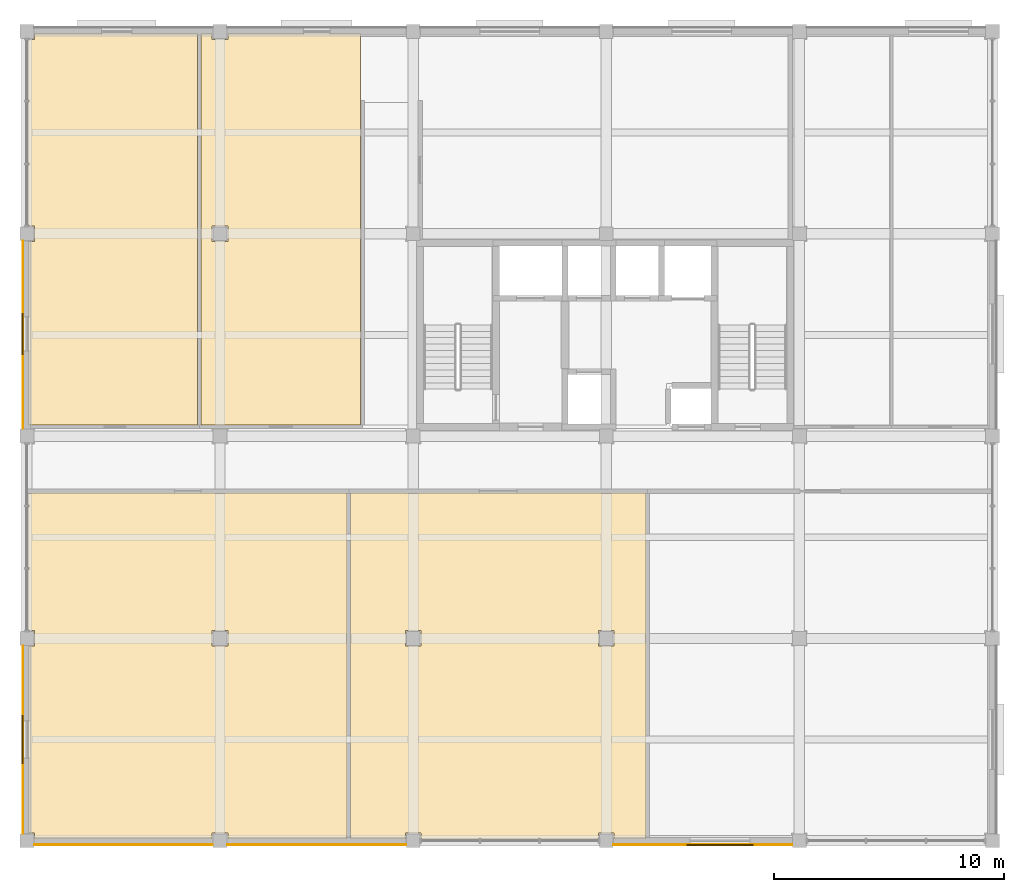
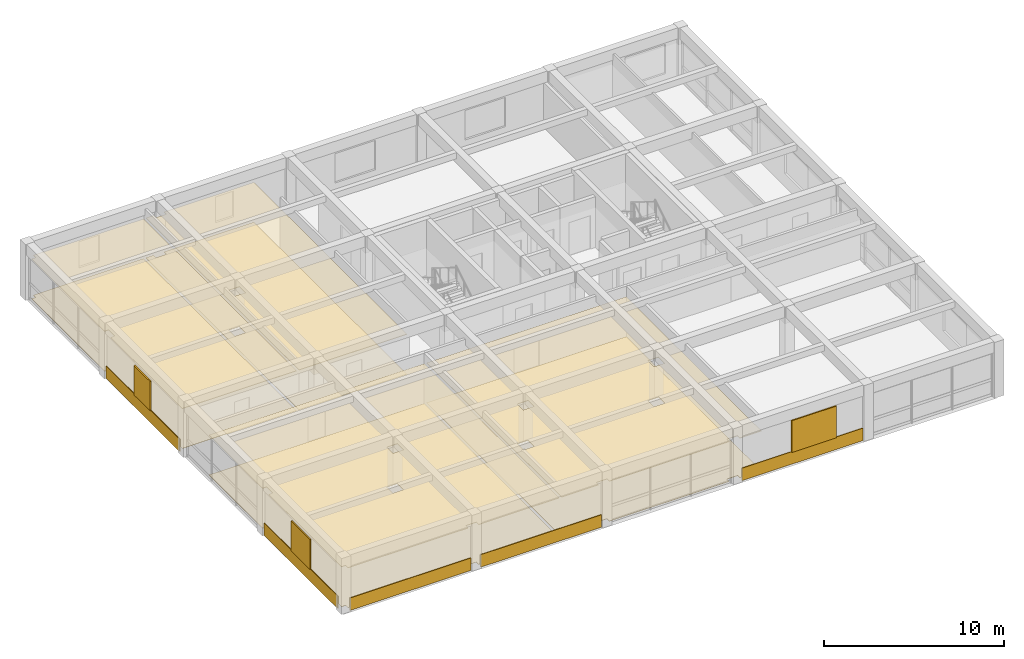
# One storey, part 10 of 14: 13 coverings, 3 shading devices.
"""IFC4 building model written with IfcOpenShell, lengths in metres."""

import ifcopenshell
import ifcopenshell.guid

model = None  # the IFC model being written
_history = None  # IfcOwnerHistory: only IFC2X3 demands one
_inside = {}  # id of a spatial element -> (the spatial element, [elements in it])
_under = {}  # id of a project, library or spatial element -> (it, [spatial elements below it])
_declared = {}  # id of a project -> (the project, [libraries it declares])
_typed = {}  # id of a type object -> (the type object, [elements of that type])
_made_of = {}  # id of a material, layer set ... -> (it, [elements and type objects made of it])


def new_model(schema):
    """Start an empty IFC model of exactly this schema.

    Asked for "IFC4X3", IfcOpenShell would pick the latest addendum, in which some entities
    have other attributes; the version numbers below select the first issue.
    IFC2X3 requires an IfcOwnerHistory on every rooted entity: one is made here for all.
    """
    global model, _history
    if schema == "IFC4X3":
        model = ifcopenshell.file(schema_version=(4, 3, 0, 0))
    else:
        model = ifcopenshell.file(schema=schema)
    _inside.clear()
    _under.clear()
    _declared.clear()
    _typed.clear()
    _made_of.clear()
    _history = None
    if model.schema == "IFC2X3":
        org = make("IfcOrganization", Name="unknown")
        user = make(
            "IfcPersonAndOrganization",
            ThePerson=make("IfcPerson", FamilyName="unknown"),
            TheOrganization=org,
        )
        app = make(
            "IfcApplication",
            ApplicationDeveloper=org,
            Version="unknown",
            ApplicationFullName="unknown",
            ApplicationIdentifier="unknown",
        )
        _history = make(
            "IfcOwnerHistory",
            OwningUser=user,
            OwningApplication=app,
            ChangeAction="ADDED",
            CreationDate=0,
        )
    return model


def make(cls, **values):
    """One entity of the class cls with the attributes given. An attribute that is None is left unset."""
    return model.create_entity(
        cls, **{name: value for name, value in values.items() if value is not None}
    )


def rooted(cls, **values):
    """An entity with a GlobalId (a new one), such as an element, a storey or a relation."""
    return make(cls, GlobalId=ifcopenshell.guid.new(), OwnerHistory=_history, **values)


def si_unit(unit_type, name, prefix=None):
    """IfcSIUnit, for example si_unit("LENGTHUNIT", "METRE", prefix="MILLI")."""
    return make("IfcSIUnit", UnitType=unit_type, Prefix=prefix, Name=name)


def assignment(units):
    """IfcUnitAssignment: the units of a project."""
    return None if units is None else make("IfcUnitAssignment", Units=units)


def point(xyz):
    """IfcCartesianPoint."""
    return None if xyz is None else make("IfcCartesianPoint", Coordinates=xyz)


def direction(xyz):
    """IfcDirection."""
    return None if xyz is None else make("IfcDirection", DirectionRatios=xyz)


def frame(location, z_axis=None, x_axis=None):
    """IfcAxis2Placement3D, a coordinate frame: its origin and axes. An axis left out is left unset."""
    return make(
        "IfcAxis2Placement3D",
        Location=point(location),
        Axis=direction(z_axis),
        RefDirection=direction(x_axis),
    )


def frame_2d(location, x_axis=None):
    """IfcAxis2Placement2D, a coordinate frame in the plane: its origin and x axis."""
    return make(
        "IfcAxis2Placement2D", Location=point(location), RefDirection=direction(x_axis)
    )


def origin():
    """The frame at (0, 0, 0) with its axes left unset."""
    return frame((0.0, 0.0, 0.0))


def origin_2d():
    """The frame at (0, 0) in the plane with its x axis left unset."""
    return frame_2d((0.0, 0.0))


def place(relative_to, where):
    """IfcLocalPlacement: puts the frame where relative to a parent placement (None: the world)."""
    return make(
        "IfcLocalPlacement", PlacementRelTo=relative_to, RelativePlacement=where
    )


def context(
    kind, dimensions, precision=None, world=None, true_north=None, identifier=None
):
    """IfcGeometricRepresentationContext, for example the 3D "Model" context."""
    return make(
        "IfcGeometricRepresentationContext",
        ContextIdentifier=identifier,
        ContextType=kind,
        CoordinateSpaceDimension=dimensions,
        Precision=precision,
        WorldCoordinateSystem=world,
        TrueNorth=true_north,
    )


def subcontext(parent, identifier, kind, view, scale=None):
    """IfcGeometricRepresentationSubContext, for example "Body" below "Model"."""
    return make(
        "IfcGeometricRepresentationSubContext",
        ContextIdentifier=identifier,
        ContextType=kind,
        ParentContext=parent,
        TargetScale=scale,
        TargetView=view,
    )


def project(units=None, contexts=None):
    """IfcProject with its units and contexts."""
    return rooted(
        "IfcProject",
        Name="project",
        RepresentationContexts=contexts,
        UnitsInContext=assignment(units),
    )


def spatial(cls, under=None, at=None, **own):
    """A site, building, storey or space (cls), placed at a placement, below another one or the project."""
    s = rooted(cls, ObjectPlacement=at, **own)
    if under is not None:
        _under.setdefault(under.id(), (under, []))[1].append(s)
    return s


def polyline(points):
    """IfcPolyline through the points."""
    return make("IfcPolyline", Points=[point(p) for p in points])


def profile(cls, at=None, kind="AREA", **sizes):
    """A parametric profile (cls). Its sizes go by their IFC names, for example OverallWidth=200.0."""
    return make(cls, ProfileType=kind, Position=at, **sizes)


def rectangle(**sizes):
    """IfcRectangleProfileDef."""
    return profile("IfcRectangleProfileDef", **sizes)


def outline(outer, holes=None, kind="AREA"):
    """IfcArbitraryClosedProfileDef: a profile drawn as a closed curve; with holes, ...WithVoids."""
    if holes is None:
        return make("IfcArbitraryClosedProfileDef", ProfileType=kind, OuterCurve=outer)
    return make(
        "IfcArbitraryProfileDefWithVoids",
        ProfileType=kind,
        OuterCurve=outer,
        InnerCurves=holes,
    )


def extrude(swept, where, along, depth):
    """IfcExtrudedAreaSolid: the profile swept, set in the frame where, extruded along a direction by depth."""
    return make(
        "IfcExtrudedAreaSolid",
        SweptArea=swept,
        Position=where,
        ExtrudedDirection=direction(along),
        Depth=depth,
    )


def shape(context_of_items, identifier, shape_type, items):
    """IfcShapeRepresentation: the items that make up one representation, for example the "Body"."""
    return make(
        "IfcShapeRepresentation",
        ContextOfItems=context_of_items,
        RepresentationIdentifier=identifier,
        RepresentationType=shape_type,
        Items=items,
    )


def material(Name=None, Category=None):
    """IfcMaterial."""
    return make("IfcMaterial", Name=Name, Category=Category)


def layer(
    of_material, thickness, ventilated=None, Name=None, Category=None, Priority=None
):
    """IfcMaterialLayer: one layer of a wall or slab, of a material (None: an air gap)."""
    return make(
        "IfcMaterialLayer",
        Material=of_material,
        LayerThickness=thickness,
        IsVentilated=ventilated,
        Name=Name,
        Category=Category,
        Priority=Priority,
    )


def layer_set(layers, Name=None):
    """IfcMaterialLayerSet."""
    return make("IfcMaterialLayerSet", MaterialLayers=layers, LayerSetName=Name)


def made_of(thing, what):
    """Note that an element or type object is made of a material, layer set ...; save() writes the relation."""
    if what is not None:
        _made_of.setdefault(what.id(), (what, []))[1].append(thing)
    return thing


def type_object(cls, material=None, **own):
    """A type object (cls), such as IfcWallType, which elements share."""
    return made_of(rooted(cls, **own), material)


def element(
    cls,
    number,
    at=None,
    inside=None,
    cuts=None,
    type_object=None,
    material=None,
    context=None,
    identifier="Body",
    shape_type=None,
    held_by="IfcProductDefinitionShape",
    body=None,
    shapes=None,
    **own,
):
    """One element of the class cls, such as IfcWall. Its Tag is "e" and its number.

    at: its placement. inside: the storey or other place that contains it. cuts: it is an
    opening in that element (IfcRelVoidsElement). A single representation is given by context,
    identifier, shape_type and body (its items); several are given by shapes. held_by: the class
    of the entity that holds the representations. save() writes the other relations.
    """
    e = rooted(cls, Tag="e%d" % number, ObjectPlacement=at, **own)
    if body is not None:
        shapes = [shape(context, identifier, shape_type, body)]
    if shapes is not None:
        e.Representation = make(held_by, Representations=shapes)
    if inside is not None:
        _inside.setdefault(inside.id(), (inside, []))[1].append(e)
    if cuts is not None:
        rooted(
            "IfcRelVoidsElement", RelatingBuildingElement=cuts, RelatedOpeningElement=e
        )
    if type_object is not None:
        _typed.setdefault(type_object.id(), (type_object, []))[1].append(e)
    return made_of(e, material)


def aggregate(whole, parts):
    """IfcRelAggregates: a whole, such as a stair, and the parts it consists of."""
    return rooted("IfcRelAggregates", RelatingObject=whole, RelatedObjects=parts)


def save(model, path):
    """Write the relations noted so far, then the file.

    IfcRelAggregates (storeys below a building ...), IfcRelContainedInSpatialStructure (elements
    in a storey), IfcRelDefinesByType, IfcRelAssociatesMaterial and IfcRelDeclares: one each for
    every whole, place, type object, material and project.
    """
    for whole, parts in _under.values():
        aggregate(whole, parts)
    for where, things in _inside.values():
        rooted(
            "IfcRelContainedInSpatialStructure",
            RelatedElements=things,
            RelatingStructure=where,
        )
    for kind, things in _typed.values():
        rooted("IfcRelDefinesByType", RelatedObjects=things, RelatingType=kind)
    for what, things in _made_of.values():
        rooted("IfcRelAssociatesMaterial", RelatedObjects=things, RelatingMaterial=what)
    for by, libraries in _declared.values():
        rooted("IfcRelDeclares", RelatingContext=by, RelatedDefinitions=libraries)
    model.write(path)


model = new_model("IFC4")

# Units and contexts
model_context = context("Model", 3, precision=1e-05, world=origin(), true_north=direction((0.0, 1.0)))
body_context = subcontext(model_context, "Body", "Model", "MODEL_VIEW")
ifc_project = project(units=[si_unit("LENGTHUNIT", "METRE"), si_unit("AREAUNIT", "SQUARE_METRE"), si_unit("VOLUMEUNIT", "CUBIC_METRE"), si_unit("PLANEANGLEUNIT", "RADIAN"), si_unit("MASSUNIT", "GRAM", prefix="KILO")], contexts=[model_context])

# Site, building, storey
site_placement = place(None, origin())
site = spatial("IfcSite", under=ifc_project, at=site_placement, CompositionType="ELEMENT")
building_placement = place(site_placement, origin())
building = spatial("IfcBuilding", under=site, at=building_placement, Name="Kemercrest Conservatory and Botanical Centre", CompositionType="ELEMENT")
storey_placement = place(building_placement, frame((0.0, 0.0, 44.39990234375)))
storey = spatial("IfcBuildingStorey", under=building, at=storey_placement, Name="L11", CompositionType="ELEMENT", Elevation=44.39990234375)

# Coverings
ifc_material_1 = material(Name="Honed limestone almasik ashlar rainscreen", Category="masonry")
ifc_layer_1 = layer(ifc_material_1, 0.0400390625)
ifc_layer_set_1 = layer_set([ifc_layer_1], Name="Honed limestone almasik ashlar rainscreen")
covering_type_1 = type_object("IfcCoveringType", Name="CV-CLD040", PredefinedType="CLADDING", material=ifc_layer_set_1)
covering_1_placement = place(storey_placement, origin())
element("IfcCovering", 1, at=covering_1_placement, inside=storey, type_object=covering_type_1, Name="Exterior stone spandrel cladding (WAL:L11:EXT-300)", PredefinedType="CLADDING", context=body_context, shape_type="SweptSolid", body=[
    extrude(outline(polyline([(134.31005859375, 87.050048828125), (134.31005859375, 87.010009765625), (142.090087890625, 87.010009765625), (142.090087890625, 87.050048828125), (134.31005859375, 87.050048828125)])), origin(), (0.0, 0.0, 1.0), 0.85009765625),
])
covering_2_placement = place(storey_placement, origin())
element("IfcCovering", 2, at=covering_2_placement, inside=storey, type_object=covering_type_1, Name="Exterior stone spandrel cladding (WAL:L11:EXT-301)", PredefinedType="CLADDING", context=body_context, shape_type="SweptSolid", body=[
    extrude(outline(polyline([(142.7099609375, 87.050048828125), (142.7099609375, 87.010009765625), (150.489990234375, 87.010009765625), (150.489990234375, 87.050048828125), (142.7099609375, 87.050048828125)])), origin(), (0.0, 0.0, 1.0), 0.85009765625),
])
covering_3_placement = place(storey_placement, origin())
element("IfcCovering", 3, at=covering_3_placement, inside=storey, type_object=covering_type_1, Name="Exterior stone spandrel cladding (WAL:L11:EXT-302)", PredefinedType="CLADDING", context=body_context, shape_type="SweptSolid", body=[
    extrude(outline(polyline([(159.510009765625, 87.050048828125), (159.510009765625, 87.010009765625), (167.2900390625, 87.010009765625), (167.2900390625, 87.050048828125), (159.510009765625, 87.050048828125)])), origin(), (0.0, 0.0, 1.0), 0.85009765625),
])
covering_4_placement = place(storey_placement, origin())
element("IfcCovering", 4, at=covering_4_placement, inside=storey, type_object=covering_type_1, Name="Exterior stone spandrel cladding (WAL:L11:EXT-310)", PredefinedType="CLADDING", context=body_context, shape_type="SweptSolid", body=[
    extrude(outline(polyline([(133.85009765625, 113.2900390625), (133.81005859375, 113.2900390625), (133.81005859375, 105.110107421875), (133.85009765625, 105.110107421875), (133.85009765625, 113.2900390625)])), origin(), (0.0, 0.0, 1.0), 0.85009765625),
])
covering_5_placement = place(storey_placement, origin())
element("IfcCovering", 5, at=covering_5_placement, inside=storey, type_object=covering_type_1, Name="Exterior stone spandrel cladding (WAL:L11:EXT-311)", PredefinedType="CLADDING", context=body_context, shape_type="SweptSolid", body=[
    extrude(outline(polyline([(133.85009765625, 95.68994140625), (133.81005859375, 95.68994140625), (133.81005859375, 87.510009765625), (133.85009765625, 87.510009765625), (133.85009765625, 95.68994140625)])), origin(), (0.0, 0.0, 1.0), 0.85009765625),
])
ifc_material_2 = material(Name="Perforated acoustic gypsum and mineral-fibre suspended ceiling", Category="gypsum")
ifc_layer_2 = layer(ifc_material_2, 0.034912109375)
ifc_layer_set_2 = layer_set([ifc_layer_2], Name="Perforated acoustic gypsum and mineral-fibre suspended ceiling")
covering_type_2 = type_object("IfcCoveringType", Name="CV-CLG035", PredefinedType="CEILING", material=ifc_layer_set_2)
covering_6_placement = place(storey_placement, frame((0.0, 0.0, 2.7001953125)))
element("IfcCovering", 6, at=covering_6_placement, inside=storey, type_object=covering_type_2, Name="Germplasm Vault suspended acoustic ceiling", PredefinedType="CEILING", context=body_context, shape_type="SweptSolid", body=[
    extrude(outline(polyline([(142.06005859375, 87.5400390625), (142.739990234375, 87.5400390625), (142.739990234375, 87.280029296875), (147.919921875, 87.280029296875), (147.919921875, 102.320068359375), (134.080078125, 102.320068359375), (134.080078125, 96.340087890625), (134.340087890625, 96.340087890625), (134.340087890625, 95.659912109375), (134.080078125, 95.659912109375), (134.080078125, 87.5400390625), (134.340087890625, 87.5400390625), (134.340087890625, 87.280029296875), (142.06005859375, 87.280029296875), (142.06005859375, 87.5400390625)]), holes=[polyline([(142.06005859375, 96.340087890625), (142.739990234375, 96.340087890625), (142.739990234375, 95.659912109375), (142.06005859375, 95.659912109375), (142.06005859375, 96.340087890625)])]), origin(), (0.0, 0.0, 1.0), 0.034912109375),
])
covering_7_placement = place(storey_placement, frame((0.0, 0.0, 2.7001953125)))
element("IfcCovering", 7, at=covering_7_placement, inside=storey, type_object=covering_type_2, Name="Cryopreservation Laboratory suspended acoustic ceiling", PredefinedType="CEILING", context=body_context, shape_type="SweptSolid", body=[
    extrude(outline(polyline([(158.860107421875, 87.5400390625), (159.5400390625, 87.5400390625), (159.5400390625, 87.280029296875), (160.919921875, 87.280029296875), (160.919921875, 102.320068359375), (148.080078125, 102.320068359375), (148.080078125, 87.280029296875), (150.4599609375, 87.280029296875), (150.4599609375, 87.5400390625), (151.139892578125, 87.5400390625), (151.139892578125, 87.280029296875), (158.860107421875, 87.280029296875), (158.860107421875, 87.5400390625)]), holes=[polyline([(158.860107421875, 96.340087890625), (159.5400390625, 96.340087890625), (159.5400390625, 95.659912109375), (158.860107421875, 95.659912109375), (158.860107421875, 96.340087890625)]), polyline([(150.4599609375, 96.340087890625), (151.139892578125, 96.340087890625), (151.139892578125, 95.659912109375), (150.4599609375, 95.659912109375), (150.4599609375, 96.340087890625)])]), origin(), (0.0, 0.0, 1.0), 0.034912109375),
])
covering_8_placement = place(storey_placement, frame((0.0, 0.0, 2.7001953125)))
element("IfcCovering", 8, at=covering_8_placement, inside=storey, type_object=covering_type_2, Name="Desiccation Preparation Studio suspended acoustic ceiling", PredefinedType="CEILING", context=body_context, shape_type="SweptSolid", body=[
    extrude(outline(polyline([(134.080078125, 105.280029296875), (141.419921875, 105.280029296875), (141.419921875, 122.320068359375), (134.340087890625, 122.320068359375), (134.340087890625, 122.06005859375), (134.080078125, 122.06005859375), (134.080078125, 113.93994140625), (134.340087890625, 113.93994140625), (134.340087890625, 113.260009765625), (134.080078125, 113.260009765625), (134.080078125, 105.280029296875)])), origin(), (0.0, 0.0, 1.0), 0.034912109375),
])
covering_9_placement = place(storey_placement, frame((0.0, 0.0, 2.7001953125)))
element("IfcCovering", 9, at=covering_9_placement, inside=storey, type_object=covering_type_2, Name="Environmental Control Office suspended acoustic ceiling", PredefinedType="CEILING", context=body_context, shape_type="SweptSolid", body=[
    extrude(outline(polyline([(142.06005859375, 122.320068359375), (141.580078125, 122.320068359375), (141.580078125, 105.280029296875), (148.52001953125, 105.280029296875), (148.52001953125, 122.320068359375), (142.739990234375, 122.320068359375), (142.739990234375, 122.06005859375), (142.06005859375, 122.06005859375), (142.06005859375, 122.320068359375)]), holes=[polyline([(142.06005859375, 113.93994140625), (142.739990234375, 113.93994140625), (142.739990234375, 113.260009765625), (142.06005859375, 113.260009765625), (142.06005859375, 113.93994140625)])]), origin(), (0.0, 0.0, 1.0), 0.034912109375),
])
ifc_material_3 = material(Name="Polished limestone terrazzo and seamless laboratory epoxy flooring", Category="masonry")
ifc_layer_3 = layer(ifc_material_3, 0.02001953125)
ifc_layer_set_3 = layer_set([ifc_layer_3], Name="Polished limestone terrazzo and seamless laboratory epoxy flooring")
covering_type_3 = type_object("IfcCoveringType", Name="CV-FLR020", PredefinedType="FLOORING", material=ifc_layer_set_3)
covering_10_placement = place(storey_placement, origin())
element("IfcCovering", 10, at=covering_10_placement, inside=storey, type_object=covering_type_3, Name="Germplasm Vault floor finish", PredefinedType="FLOORING", context=body_context, shape_type="SweptSolid", body=[
    extrude(outline(polyline([(142.06005859375, 87.5400390625), (142.739990234375, 87.5400390625), (142.739990234375, 87.280029296875), (147.919921875, 87.280029296875), (147.919921875, 102.320068359375), (134.080078125, 102.320068359375), (134.080078125, 96.340087890625), (134.340087890625, 96.340087890625), (134.340087890625, 95.659912109375), (134.080078125, 95.659912109375), (134.080078125, 87.5400390625), (134.340087890625, 87.5400390625), (134.340087890625, 87.280029296875), (142.06005859375, 87.280029296875), (142.06005859375, 87.5400390625)]), holes=[polyline([(142.06005859375, 96.340087890625), (142.739990234375, 96.340087890625), (142.739990234375, 95.659912109375), (142.06005859375, 95.659912109375), (142.06005859375, 96.340087890625)])]), origin(), (0.0, 0.0, 1.0), 0.02001953125),
])
covering_11_placement = place(storey_placement, origin())
element("IfcCovering", 11, at=covering_11_placement, inside=storey, type_object=covering_type_3, Name="Cryopreservation Laboratory floor finish", PredefinedType="FLOORING", context=body_context, shape_type="SweptSolid", body=[
    extrude(outline(polyline([(158.860107421875, 87.5400390625), (159.5400390625, 87.5400390625), (159.5400390625, 87.280029296875), (160.919921875, 87.280029296875), (160.919921875, 102.320068359375), (148.080078125, 102.320068359375), (148.080078125, 87.280029296875), (150.4599609375, 87.280029296875), (150.4599609375, 87.5400390625), (151.139892578125, 87.5400390625), (151.139892578125, 87.280029296875), (158.860107421875, 87.280029296875), (158.860107421875, 87.5400390625)]), holes=[polyline([(158.860107421875, 96.340087890625), (159.5400390625, 96.340087890625), (159.5400390625, 95.659912109375), (158.860107421875, 95.659912109375), (158.860107421875, 96.340087890625)]), polyline([(150.4599609375, 96.340087890625), (151.139892578125, 96.340087890625), (151.139892578125, 95.659912109375), (150.4599609375, 95.659912109375), (150.4599609375, 96.340087890625)])]), origin(), (0.0, 0.0, 1.0), 0.02001953125),
])
covering_12_placement = place(storey_placement, origin())
element("IfcCovering", 12, at=covering_12_placement, inside=storey, type_object=covering_type_3, Name="Desiccation Preparation Studio floor finish", PredefinedType="FLOORING", context=body_context, shape_type="SweptSolid", body=[
    extrude(outline(polyline([(134.080078125, 105.280029296875), (141.419921875, 105.280029296875), (141.419921875, 122.320068359375), (134.340087890625, 122.320068359375), (134.340087890625, 122.06005859375), (134.080078125, 122.06005859375), (134.080078125, 113.93994140625), (134.340087890625, 113.93994140625), (134.340087890625, 113.260009765625), (134.080078125, 113.260009765625), (134.080078125, 105.280029296875)])), origin(), (0.0, 0.0, 1.0), 0.02001953125),
])
covering_13_placement = place(storey_placement, origin())
element("IfcCovering", 13, at=covering_13_placement, inside=storey, type_object=covering_type_3, Name="Environmental Control Office floor finish", PredefinedType="FLOORING", context=body_context, shape_type="SweptSolid", body=[
    extrude(outline(polyline([(142.06005859375, 122.320068359375), (141.580078125, 122.320068359375), (141.580078125, 105.280029296875), (148.52001953125, 105.280029296875), (148.52001953125, 122.320068359375), (142.739990234375, 122.320068359375), (142.739990234375, 122.06005859375), (142.06005859375, 122.06005859375), (142.06005859375, 122.320068359375)]), holes=[polyline([(142.06005859375, 113.93994140625), (142.739990234375, 113.93994140625), (142.739990234375, 113.260009765625), (142.06005859375, 113.260009765625), (142.06005859375, 113.93994140625)])]), origin(), (0.0, 0.0, 1.0), 0.02001953125),
])

# Shading devices
ifc_material_4 = material(Name="Perforated bronze-anodized aluminium", Category="aluminium")
shading_device_type_1 = type_object("IfcShadingDeviceType", Name="SH-MS01", PredefinedType="USERDEFINED", material=ifc_material_4)
shading_device_1_placement = place(storey_placement, frame((133.81201171875, 109.2451171875, 0.820068359375), z_axis=(0.0, 0.0, 1.0), x_axis=(0.0, -1.0, 0.0)))
element("IfcShadingDevice", 14, at=shading_device_1_placement, inside=storey, type_object=shading_device_type_1, Name="Ottoman mashrabiya perforated screen SH-MS01 (WIN:L11:EXT-310)", ObjectType="MASHRABIYA SCREEN", PredefinedType="USERDEFINED", context=body_context, shape_type="SweptSolid", body=[
    extrude(rectangle(XDim=1.800048828125, YDim=0.080078125, at=origin_2d()), origin(), (0.0, 0.0, 1.0), 2.0),
])
shading_device_type_2 = type_object("IfcShadingDeviceType", Name="SH-MS02", PredefinedType="USERDEFINED", material=ifc_material_4)
shading_device_2_placement = place(storey_placement, frame((133.81201171875, 91.60009765625, 0.820068359375), z_axis=(0.0, 0.0, 1.0), x_axis=(0.0, -1.0, 0.0)))
element("IfcShadingDevice", 15, at=shading_device_2_placement, inside=storey, type_object=shading_device_type_2, Name="Ottoman mashrabiya perforated screen SH-MS02 (WIN:L11:EXT-311)", ObjectType="MASHRABIYA SCREEN", PredefinedType="USERDEFINED", context=body_context, shape_type="SweptSolid", body=[
    extrude(rectangle(XDim=2.10009765625, YDim=0.080078125, at=origin_2d()), origin(), (0.0, 0.0, 1.0), 2.0400390625),
])
shading_device_type_3 = type_object("IfcShadingDeviceType", Name="SH-MS03", PredefinedType="USERDEFINED", material=ifc_material_4)
shading_device_3_placement = place(storey_placement, frame((164.14501953125, 87.011962890625, 0.8203125), z_axis=(0.0, 0.0, 1.0), x_axis=(1.0, 0.0, 0.0)))
element("IfcShadingDevice", 16, at=shading_device_3_placement, inside=storey, type_object=shading_device_type_3, Name="Ottoman mashrabiya perforated screen SH-MS03 (WIN:L11:EXT-302)", ObjectType="MASHRABIYA SCREEN", PredefinedType="USERDEFINED", context=body_context, shape_type="SweptSolid", body=[
    extrude(rectangle(XDim=2.8798828125, YDim=0.080078125, at=origin_2d()), origin(), (0.0, 0.0, 1.0), 2.159912109375),
])

save(model, "model.ifc")
